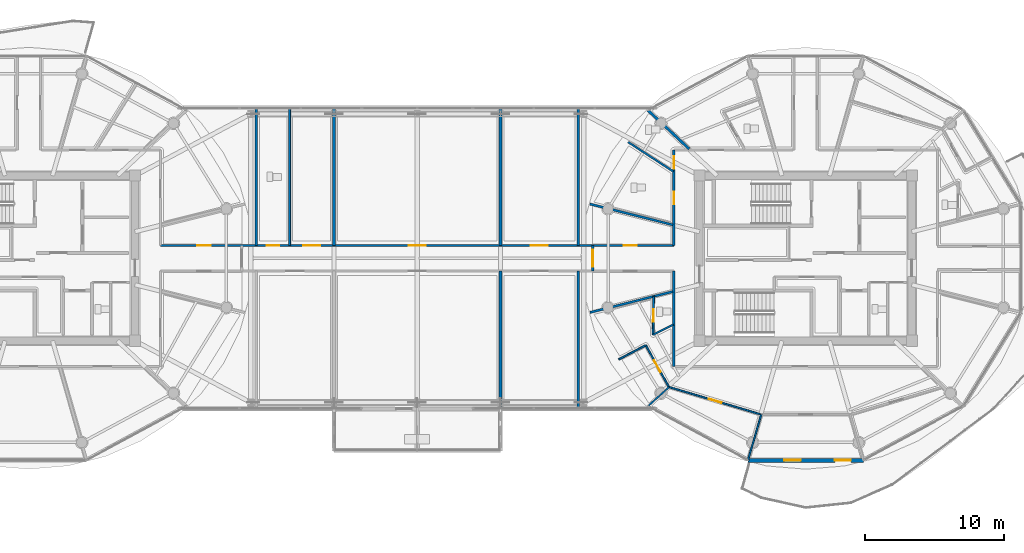
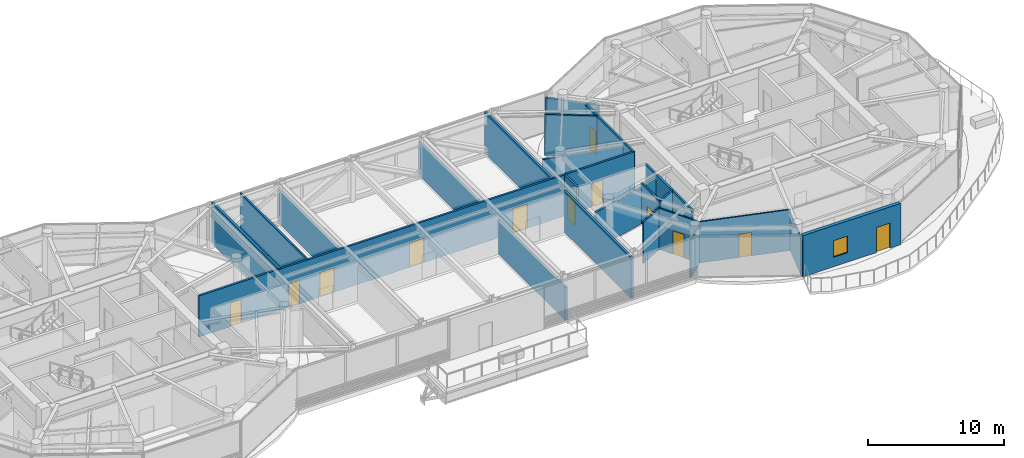
# One storey, part 17 of 31: 23 walls, 13 doors, 1 window, 14 openings.
"""IFC4 building model written with IfcOpenShell, lengths in metres."""

from ifc_helpers import new_model, si_unit, direction, frame, frame_2d, origin, place, context, subcontext, project, spatial, rectangle, extrude, source, transform, mapped, material, layer, layer_set, type_object, type_shapes, element, fill, save


model = new_model("IFC4")

# Units and contexts
model_context = context("Model", 3, precision=1e-05, world=origin(), true_north=direction((0.0, 1.0)))
body_context = subcontext(model_context, "Body", "Model", "MODEL_VIEW")
ifc_project = project(units=[si_unit("LENGTHUNIT", "METRE"), si_unit("AREAUNIT", "SQUARE_METRE"), si_unit("VOLUMEUNIT", "CUBIC_METRE"), si_unit("PLANEANGLEUNIT", "RADIAN"), si_unit("MASSUNIT", "GRAM", prefix="KILO")], contexts=[model_context])

# Site, building, storey
site_placement = place(None, origin())
site = spatial("IfcSite", under=ifc_project, at=site_placement, CompositionType="ELEMENT")
building_placement = place(site_placement, origin())
building = spatial("IfcBuilding", under=site, at=building_placement, Name="Norrkilde Senior Care Towers", CompositionType="ELEMENT")
storey_placement = place(building_placement, frame((0.0, 0.0, 199.800048828125)))
storey = spatial("IfcBuildingStorey", under=building, at=storey_placement, Name="L62", CompositionType="ELEMENT", Elevation=199.800048828125)

# Wall, openings, door, window
ifc_material_1 = material(Name="Precast concrete C45/55", Category="concrete")
ifc_layer_1 = layer(ifc_material_1, 0.2900390625)
ifc_layer_set_1 = layer_set([ifc_layer_1], Name="Precast concrete C45/55")
wall_type_1 = type_object("IfcWallType", Name="Winter Garden Facade Wall 290", PredefinedType="SOLIDWALL", material=ifc_layer_set_1)
shared_shape_1 = source(origin(), body_context, "Body", "SweptSolid", [
    extrude(rectangle(XDim=8.32373046875, YDim=0.2900390625, at=frame_2d((4.161865234375, 0.0))), origin(), (0.0, 0.0, 1.0), 3.7099609375),
])
type_shapes(wall_type_1, [shared_shape_1])
wall_1_placement = place(storey_placement, frame((32.161865234375, -14.566162109375, 0.0), z_axis=(0.0, 0.0, 1.0), x_axis=(-1.0, 0.0, 0.0)))
wall_1 = element("IfcWall", 1, at=wall_1_placement, inside=storey, type_object=wall_type_1, Name="L62 Drum E Balcony Access Wall 08", PredefinedType="SOLIDWALL", context=body_context, shape_type="MappedRepresentation", body=[
    mapped(shared_shape_1, transform((0.0, 0.0, 0.0), x_axis=(1.0, 0.0, 0.0), y_axis=(0.0, 1.0, 0.0), z_axis=(0.0, 0.0, 1.0), scale=1.0)),
])
opening_1_placement = place(wall_1_placement, frame((0.89990234375, 0.0, 0.0)))
opening_1 = element("IfcOpeningElement", 2, at=opening_1_placement, cuts=wall_1, Name="Opening D-09", PredefinedType="OPENING", context=body_context, shape_type="SweptSolid", body=[
    extrude(rectangle(XDim=1.14990234375, YDim=2.25, at=frame_2d((0.574951171875, 1.125))), frame((0.0, 0.155029296875, 0.0), z_axis=(0.0, -1.0, 0.0), x_axis=(1.0, 0.0, 0.0)), (0.0, 0.0, 1.0), 0.31005859375),
])
opening_2_placement = place(wall_1_placement, frame((4.51171875, 0.0, 0.85009765625)))
opening_2 = element("IfcOpeningElement", 3, at=opening_2_placement, cuts=wall_1, Name="Opening WN-07", PredefinedType="OPENING", context=body_context, shape_type="SweptSolid", body=[
    extrude(rectangle(XDim=1.199951171875, YDim=1.5, at=frame_2d((0.60009765625, 0.75))), frame((0.0, 0.155029296875, 0.0), z_axis=(0.0, -1.0, 0.0), x_axis=(1.0, 0.0, 0.0)), (0.0, 0.0, 1.0), 0.31005859375),
])
ifc_material_2 = material(Name="Anodised Aluminium", Category="aluminium")
door_type_1 = type_object("IfcDoorType", Name="Terrace and Balcony Glazed Door 1150x2250", OperationType="NOTDEFINED", PredefinedType="DOOR", material=ifc_material_2)
shared_shape_2 = source(origin(), body_context, "Body", "SweptSolid", [
    extrude(rectangle(XDim=1.14990234375, YDim=2.25, at=frame_2d((0.574951171875, 1.125))), frame((0.0, 0.02490234375, 0.0), z_axis=(0.0, -1.0, 0.0), x_axis=(1.0, 0.0, 0.0)), (0.0, 0.0, 1.0), 0.050048828125),
])
type_shapes(door_type_1, [shared_shape_2])
door_1_placement = place(opening_1_placement, origin())
door_1 = element("IfcDoor", 4, at=door_1_placement, inside=storey, type_object=door_type_1, Name="L62 Drum E Outdoor Terrace Door 08", OperationType="SINGLE_SWING_LEFT", OverallHeight=2.25, OverallWidth=1.14990234375, PredefinedType="DOOR", context=body_context, shape_type="MappedRepresentation", body=[
    mapped(shared_shape_2, transform((0.0, 0.0, 0.0), x_axis=(1.0, 0.0, 0.0), y_axis=(0.0, 1.0, 0.0), z_axis=(0.0, 0.0, 1.0), scale=1.0)),
])
fill(opening_1, door_1)
ifc_material_3 = material(Name="Triple Low-E Insulated Glazing", Category="glass")
window_type = type_object("IfcWindowType", Name="Stairwell Smoke Vent Window 1200x1500", PartitioningType="SINGLE_PANEL", PredefinedType="WINDOW", material=ifc_material_3)
shared_shape_3 = source(origin(), body_context, "Body", "SweptSolid", [
    extrude(rectangle(XDim=1.199951171875, YDim=1.5, at=frame_2d((0.60009765625, 0.75))), frame((0.0, 0.030029296875, 0.0), z_axis=(0.0, -1.0, 0.0), x_axis=(1.0, 0.0, 0.0)), (0.0, 0.0, 1.0), 0.06005859375),
])
type_shapes(window_type, [shared_shape_3])
window_placement = place(opening_2_placement, origin())
window = element("IfcWindow", 5, at=window_placement, inside=storey, type_object=window_type, Name="L62 Drum E Winter Garden Window 08", OverallHeight=1.5, OverallWidth=1.199951171875, PartitioningType="SINGLE_PANEL", PredefinedType="WINDOW", context=body_context, shape_type="MappedRepresentation", body=[
    mapped(shared_shape_3, transform((0.0, 0.0, 0.0), x_axis=(1.0, 0.0, 0.0), y_axis=(0.0, 1.0, 0.0), z_axis=(0.0, 0.0, 1.0), scale=1.0)),
])
fill(opening_2, window)

# Wall
ifc_material_4 = material(Name="Gypsum Acoustic Board")
ifc_layer_2 = layer(ifc_material_4, 0.1650390625)
ifc_layer_set_2 = layer_set([ifc_layer_2], Name="Gypsum Acoustic Board")
wall_type_2 = type_object("IfcWallType", Name="Corridor Rated Partition 165", PredefinedType="PARTITIONING", material=ifc_layer_set_2)
shared_shape_4 = source(origin(), body_context, "Body", "SweptSolid", [
    extrude(rectangle(XDim=6.880126953125, YDim=0.1650390625, at=frame_2d((3.43994140625, 0.0))), origin(), (0.0, 0.0, 1.0), 3.695068359375),
])
wall_2_placement = place(storey_placement, frame((18.5, -7.800048828125, 0.0), z_axis=(0.0, 0.0, 1.0), x_axis=(0.0, 1.0, 0.0)))
element("IfcWall", 6, at=wall_2_placement, inside=storey, type_object=wall_type_2, Name="WL-INT-L62-E-CRW-W-0", PredefinedType="PARTITIONING", context=body_context, shape_type="MappedRepresentation", body=[
    mapped(shared_shape_4, transform((0.0, 0.0, 0.0), x_axis=(1.0, 0.0, 0.0), y_axis=(0.0, 1.0, 0.0), z_axis=(0.0, 0.0, 1.0), scale=1.0)),
])

# Wall, openings, doors
wall_3_placement = place(storey_placement, frame((18.5, 0.919921875, 0.0), z_axis=(0.0, 0.0, 1.0), x_axis=(0.0, 1.0, 0.0)))
wall_3 = element("IfcWall", 7, at=wall_3_placement, inside=storey, type_object=wall_type_2, Name="WL-INT-L62-E-CRW-W-1", PredefinedType="PARTITIONING", context=body_context, shape_type="MappedRepresentation", body=[
    mapped(shared_shape_4, transform((0.0, 0.0, 0.0), x_axis=(1.0, 0.0, 0.0), y_axis=(0.0, 1.0, 0.0), z_axis=(0.0, 0.0, 1.0), scale=1.0)),
])
opening_3_placement = place(wall_3_placement, frame((5.525146484375, 0.0, 0.0)))
opening_3 = element("IfcOpeningElement", 8, at=opening_3_placement, cuts=wall_3, Name="Opening D-08", PredefinedType="OPENING", context=body_context, shape_type="SweptSolid", body=[
    extrude(rectangle(XDim=0.919921875, YDim=2.10009765625, at=frame_2d((0.4599609375, 1.050048828125))), frame((0.0, 0.092529296875, 0.0), z_axis=(0.0, -1.0, 0.0), x_axis=(1.0, 0.0, 0.0)), (0.0, 0.0, 1.0), 0.18505859375),
])
opening_4_placement = place(wall_3_placement, frame((2.96240234375, 0.0, 0.0)))
opening_4 = element("IfcOpeningElement", 9, at=opening_4_placement, cuts=wall_3, Name="Opening D-08", PredefinedType="OPENING", context=body_context, shape_type="SweptSolid", body=[
    extrude(rectangle(XDim=0.919921875, YDim=2.10009765625, at=frame_2d((0.4599609375, 1.050048828125))), frame((0.0, 0.092529296875, 0.0), z_axis=(0.0, -1.0, 0.0), x_axis=(1.0, 0.0, 0.0)), (0.0, 0.0, 1.0), 0.18505859375),
])
ifc_material_5 = material(Name="Nordic Ash Timber", Category="wood")
door_type_2 = type_object("IfcDoorType", Name="Accessible Wet Room Door 920x2100", OperationType="NOTDEFINED", PredefinedType="DOOR", material=ifc_material_5)
shared_shape_5 = source(origin(), body_context, "Body", "SweptSolid", [
    extrude(rectangle(XDim=0.919921875, YDim=2.10009765625, at=frame_2d((0.4599609375, 1.050048828125))), frame((0.0, 0.02490234375, 0.0), z_axis=(0.0, -1.0, 0.0), x_axis=(1.0, 0.0, 0.0)), (0.0, 0.0, 1.0), 0.050048828125),
])
type_shapes(door_type_2, [shared_shape_5])
door_2_placement = place(opening_3_placement, frame((0.919921875, 0.0, 0.0), z_axis=(0.0, 0.0, 1.0), x_axis=(-1.0, 0.0, 0.0)))
door_2 = element("IfcDoor", 10, at=door_2_placement, inside=storey, type_object=door_type_2, Name="L62 Accessible Restroom Door", OperationType="SINGLE_SWING_LEFT", OverallHeight=2.10009765625, OverallWidth=0.919921875, PredefinedType="DOOR", context=body_context, shape_type="MappedRepresentation", body=[
    mapped(shared_shape_5, transform((0.0, 0.0, 0.0), x_axis=(1.0, 0.0, 0.0), y_axis=(0.0, 1.0, 0.0), z_axis=(0.0, 0.0, 1.0), scale=1.0)),
])
fill(opening_3, door_2)
door_3_placement = place(opening_4_placement, frame((0.919921875, 0.0, 0.0), z_axis=(0.0, 0.0, 1.0), x_axis=(-1.0, 0.0, 0.0)))
door_3 = element("IfcDoor", 11, at=door_3_placement, inside=storey, type_object=door_type_2, Name="L62 Public Restroom Door", OperationType="SINGLE_SWING_RIGHT", OverallHeight=2.10009765625, OverallWidth=0.919921875, PredefinedType="DOOR", context=body_context, shape_type="MappedRepresentation", body=[
    mapped(shared_shape_5, transform((0.0, 0.0, 0.0), x_axis=(1.0, 0.0, 0.0), y_axis=(0.0, 1.0, 0.0), z_axis=(0.0, 0.0, 1.0), scale=1.0)),
])
fill(opening_4, door_3)

# Walls
shared_shape_6 = source(origin(), body_context, "Body", "SweptSolid", [
    extrude(rectangle(XDim=6.1572265625, YDim=0.1650390625, at=frame_2d((3.07861328125, 0.0))), origin(), (0.0, 0.0, 1.0), 3.294921875),
])
for number, where, z_axis, x_axis, name in (
    (12, (18.419921875, 2.407470703125, 0.0), (0.0, 0.0, 1.0), (-0.969840867184, 0.243738984038, 0.0), "WL-INT-L62-E-DEM-05-0"),
    (13, (18.419921875, -2.407470703125, 0.0), (0.0, 0.0, 1.0), (-0.969840867184, -0.243738984038, 0.0), "WL-INT-L62-E-DEM-06-0"),
):
    element("IfcWall", number, at=place(storey_placement, frame(where, z_axis=z_axis, x_axis=x_axis)), inside=storey, type_object=wall_type_2, Name=name, PredefinedType="PARTITIONING", context=body_context, shape_type="MappedRepresentation", body=[
        mapped(shared_shape_6, transform((0.0, 0.0, 0.0), x_axis=(1.0, 0.0, 0.0), y_axis=(0.0, 1.0, 0.0), z_axis=(0.0, 0.0, 1.0), scale=1.0)),
    ])
ifc_layer_3 = layer(ifc_material_4, 0.18994140625)
ifc_layer_set_3 = layer_set([ifc_layer_3], Name="Gypsum Acoustic Board")
wall_type_3 = type_object("IfcWallType", Name="Unit Demising Acoustic Wall 190", PredefinedType="PARTITIONING", material=ifc_layer_set_3)
shared_shape_7 = source(origin(), body_context, "Body", "SweptSolid", [
    extrude(rectangle(XDim=4.089111328125, YDim=0.18994140625, at=frame_2d((2.04443359375, 0.0))), origin(), (0.0, 0.0, 1.0), 3.294921875),
])
wall_4_placement = place(storey_placement, frame((19.59814453125, 7.8798828125, 0.0), z_axis=(0.0, 0.0, 1.0), x_axis=(-0.729401273609, 0.684086092577, 0.0)))
element("IfcWall", 14, at=wall_4_placement, inside=storey, type_object=wall_type_3, Name="WL-INT-L62-E-DEM-04-0", PredefinedType="PARTITIONING", context=body_context, shape_type="MappedRepresentation", body=[
    mapped(shared_shape_7, transform((0.0, 0.0, 0.0), x_axis=(1.0, 0.0, 0.0), y_axis=(0.0, 1.0, 0.0), z_axis=(0.0, 0.0, 1.0), scale=1.0)),
])
ifc_layer_4 = layer(ifc_material_4, 0.139892578125)
ifc_layer_set_4 = layer_set([ifc_layer_4], Name="Gypsum Acoustic Board")
wall_type_4 = type_object("IfcWallType", Name="En-suite Wet Room Wall 140", PredefinedType="PARTITIONING", material=ifc_layer_set_4)
shared_shape_8 = source(origin(), body_context, "Body", "SweptSolid", [
    extrude(rectangle(XDim=3.903564453125, YDim=0.139892578125, at=frame_2d((1.95166015625, 0.0))), origin(), (0.0, 0.0, 1.0), 3.695068359375),
])
wall_5_placement = place(storey_placement, frame((18.469970703125, 6.245849609375, 0.0), z_axis=(0.0, 0.0, 1.0), x_axis=(-0.838024687996, 0.545632314209, 0.0)))
element("IfcWall", 15, at=wall_5_placement, inside=storey, type_object=wall_type_4, Name="WL-INT-L62-E-MID-04", PredefinedType="PARTITIONING", context=body_context, shape_type="MappedRepresentation", body=[
    mapped(shared_shape_8, transform((0.0, 0.0, 0.0), x_axis=(1.0, 0.0, 0.0), y_axis=(0.0, 1.0, 0.0), z_axis=(0.0, 0.0, 1.0), scale=1.0)),
])
ifc_layer_5 = layer(ifc_material_4, 0.114990234375)
ifc_layer_set_5 = layer_set([ifc_layer_5], Name="Gypsum Acoustic Board")
wall_type_5 = type_object("IfcWallType", Name="Internal Room Partition 115", PredefinedType="PARTITIONING", material=ifc_layer_set_5)
shared_shape_9 = source(origin(), body_context, "Body", "SweptSolid", [
    extrude(rectangle(XDim=2.071533203125, YDim=0.114990234375, at=frame_2d((1.03564453125, 0.0))), origin(), (0.0, 0.0, 1.0), 3.294921875),
])
wall_6_placement = place(storey_placement, frame((18.1513671875, -9.287109375, 0.0), z_axis=(0.0, 0.0, 1.0), x_axis=(-0.741410125356, -0.671052178314, 0.0)))
element("IfcWall", 16, at=wall_6_placement, inside=storey, type_object=wall_type_5, Name="WL-INT-L62-E-UBR-06-1", PredefinedType="PARTITIONING", context=body_context, shape_type="MappedRepresentation", body=[
    mapped(shared_shape_9, transform((0.0, 0.0, 0.0), x_axis=(1.0, 0.0, 0.0), y_axis=(0.0, 1.0, 0.0), z_axis=(0.0, 0.0, 1.0), scale=1.0)),
])
shared_shape_10 = source(origin(), body_context, "Body", "SweptSolid", [
    extrude(rectangle(XDim=1.638427734375, YDim=0.139892578125, at=frame_2d((0.8193359375, 0.0))), origin(), (0.0, 0.0, 1.0), 3.695068359375),
])
wall_7_placement = place(storey_placement, frame((18.469970703125, -4.7783203125, 0.0), z_axis=(0.0, 0.0, 1.0), x_axis=(-0.893919977945, -0.448226586707, 0.0)))
element("IfcWall", 17, at=wall_7_placement, inside=storey, type_object=wall_type_4, Name="WL-INT-L62-E-UBTS-06", PredefinedType="PARTITIONING", context=body_context, shape_type="MappedRepresentation", body=[
    mapped(shared_shape_10, transform((0.0, 0.0, 0.0), x_axis=(1.0, 0.0, 0.0), y_axis=(0.0, 1.0, 0.0), z_axis=(0.0, 0.0, 1.0), scale=1.0)),
])

# Wall, opening, door
shared_shape_11 = source(origin(), body_context, "Body", "SweptSolid", [
    extrude(rectangle(XDim=2.7587890625, YDim=0.139892578125, at=frame_2d((1.37939453125, 0.0))), origin(), (0.0, 0.0, 1.0), 3.695068359375),
])
wall_8_placement = place(storey_placement, frame((17.00537109375, -5.5126953125, 0.0), z_axis=(0.0, 0.0, 1.0), x_axis=(0.01194710728, 0.999928630767, 0.0)))
wall_8 = element("IfcWall", 18, at=wall_8_placement, inside=storey, type_object=wall_type_4, Name="WL-INT-L62-E-UBTF-06", PredefinedType="PARTITIONING", context=body_context, shape_type="MappedRepresentation", body=[
    mapped(shared_shape_11, transform((0.0, 0.0, 0.0), x_axis=(1.0, 0.0, 0.0), y_axis=(0.0, 1.0, 0.0), z_axis=(0.0, 0.0, 1.0), scale=1.0)),
])
opening_5_placement = place(wall_8_placement, frame((0.91943359375, 0.0, 0.0)))
opening_5 = element("IfcOpeningElement", 19, at=opening_5_placement, cuts=wall_8, Name="Opening D-08", PredefinedType="OPENING", context=body_context, shape_type="SweptSolid", body=[
    extrude(rectangle(XDim=0.919921875, YDim=2.10009765625, at=frame_2d((0.4599609375, 1.050048828125))), frame((0.0, 0.079833984375, 0.0), z_axis=(0.0, -1.0, 0.0), x_axis=(1.0, 0.0, 0.0)), (0.0, 0.0, 1.0), 0.159912109375),
])
door_4_placement = place(opening_5_placement, origin())
door_4 = element("IfcDoor", 20, at=door_4_placement, inside=storey, type_object=door_type_2, Name="Apartment 62D Bathroom Door", OperationType="SINGLE_SWING_RIGHT", OverallHeight=2.10009765625, OverallWidth=0.919921875, PredefinedType="DOOR", context=body_context, shape_type="MappedRepresentation", body=[
    mapped(shared_shape_5, transform((0.0, 0.0, 0.0), x_axis=(1.0, 0.0, 0.0), y_axis=(0.0, 1.0, 0.0), z_axis=(0.0, 0.0, 1.0), scale=1.0)),
])
fill(opening_5, door_4)

# Wall
shared_shape_12 = source(origin(), body_context, "Body", "SweptSolid", [
    extrude(rectangle(XDim=2.193115234375, YDim=0.114990234375, at=frame_2d((1.0966796875, 0.0))), origin(), (0.0, 0.0, 1.0), 3.695068359375),
])
wall_9_placement = place(storey_placement, frame((16.474609375, -6.27490234375, 0.0), z_axis=(0.0, 0.0, 1.0), x_axis=(-0.885783595046, -0.464098505435, 0.0)))
element("IfcWall", 21, at=wall_9_placement, inside=storey, type_object=wall_type_5, Name="WL-INT-L62-E-UKTS-06", PredefinedType="PARTITIONING", context=body_context, shape_type="MappedRepresentation", body=[
    mapped(shared_shape_12, transform((0.0, 0.0, 0.0), x_axis=(1.0, 0.0, 0.0), y_axis=(0.0, 1.0, 0.0), z_axis=(0.0, 0.0, 1.0), scale=1.0)),
])

# Wall, opening, door
shared_shape_13 = source(origin(), body_context, "Body", "SweptSolid", [
    extrude(rectangle(XDim=3.4501953125, YDim=0.114990234375, at=frame_2d((1.72509765625, 0.0))), origin(), (0.0, 0.0, 1.0), 3.695068359375),
])
wall_10_placement = place(storey_placement, frame((16.474609375, -6.27490234375, 0.0), z_axis=(0.0, 0.0, 1.0), x_axis=(0.483659007882, -0.875256513312, 0.0)))
wall_10 = element("IfcWall", 22, at=wall_10_placement, inside=storey, type_object=wall_type_5, Name="WL-INT-L62-E-UKTF-06", PredefinedType="PARTITIONING", context=body_context, shape_type="MappedRepresentation", body=[
    mapped(shared_shape_13, transform((0.0, 0.0, 0.0), x_axis=(1.0, 0.0, 0.0), y_axis=(0.0, 1.0, 0.0), z_axis=(0.0, 0.0, 1.0), scale=1.0)),
])
opening_6_placement = place(wall_10_placement, frame((1.25, 0.0, 0.0)))
opening_6 = element("IfcOpeningElement", 23, at=opening_6_placement, cuts=wall_10, Name="Opening D-07", PredefinedType="OPENING", context=body_context, shape_type="SweptSolid", body=[
    extrude(rectangle(XDim=0.949951171875, YDim=2.10009765625, at=frame_2d((0.47509765625, 1.050048828125))), frame((0.0, 0.0673828125, 0.0), z_axis=(0.0, -1.0, 0.0), x_axis=(1.0, 0.0, 0.0)), (0.0, 0.0, 1.0), 0.135009765625),
])
door_type_3 = type_object("IfcDoorType", Name="Internal Suite Bedroom Door 950x2100", OperationType="NOTDEFINED", PredefinedType="DOOR", material=ifc_material_5)
shared_shape_14 = source(origin(), body_context, "Body", "SweptSolid", [
    extrude(rectangle(XDim=0.949951171875, YDim=2.10009765625, at=frame_2d((0.47509765625, 1.050048828125))), frame((0.0, 0.02490234375, 0.0), z_axis=(0.0, -1.0, 0.0), x_axis=(1.0, 0.0, 0.0)), (0.0, 0.0, 1.0), 0.050048828125),
])
type_shapes(door_type_3, [shared_shape_14])
door_5_placement = place(opening_6_placement, frame((0.949951171875, 0.0, 0.0), z_axis=(0.0, 0.0, 1.0), x_axis=(-1.0, 0.0, 0.0)))
door_5 = element("IfcDoor", 24, at=door_5_placement, inside=storey, type_object=door_type_3, Name="Apartment 62D Kitchen Door", OperationType="SINGLE_SWING_LEFT", OverallHeight=2.10009765625, OverallWidth=0.949951171875, PredefinedType="DOOR", context=body_context, shape_type="MappedRepresentation", body=[
    mapped(shared_shape_14, transform((0.0, 0.0, 0.0), x_axis=(1.0, 0.0, 0.0), y_axis=(0.0, 1.0, 0.0), z_axis=(0.0, 0.0, 1.0), scale=1.0)),
])
fill(opening_6, door_5)

shared_shape_15 = source(origin(), body_context, "Body", "SweptSolid", [
    extrude(rectangle(XDim=6.935791015625, YDim=0.114990234375, at=frame_2d((3.4677734375, 0.0))), origin(), (0.0, 0.0, 1.0), 3.695068359375),
])
wall_11_placement = place(storey_placement, frame((18.1513671875, -9.287109375, 0.0), z_axis=(0.0, 0.0, 1.0), x_axis=(0.958186895835, -0.286143098205, 0.0)))
wall_11 = element("IfcWall", 25, at=wall_11_placement, inside=storey, type_object=wall_type_5, Name="WL-INT-L62-E-UBC-06-1", PredefinedType="PARTITIONING", context=body_context, shape_type="MappedRepresentation", body=[
    mapped(shared_shape_15, transform((0.0, 0.0, 0.0), x_axis=(1.0, 0.0, 0.0), y_axis=(0.0, 1.0, 0.0), z_axis=(0.0, 0.0, 1.0), scale=1.0)),
])
opening_7_placement = place(wall_11_placement, frame((2.992919921875, 0.0, 0.0)))
opening_7 = element("IfcOpeningElement", 26, at=opening_7_placement, cuts=wall_11, Name="Opening D-07", PredefinedType="OPENING", context=body_context, shape_type="SweptSolid", body=[
    extrude(rectangle(XDim=0.949951171875, YDim=2.10009765625, at=frame_2d((0.47509765625, 1.050048828125))), frame((0.0, 0.0673828125, 0.0), z_axis=(0.0, -1.0, 0.0), x_axis=(1.0, 0.0, 0.0)), (0.0, 0.0, 1.0), 0.135009765625),
])
door_6_placement = place(opening_7_placement, origin())
door_6 = element("IfcDoor", 27, at=door_6_placement, inside=storey, type_object=door_type_3, Name="Apartment 62D Bedroom 1 Door", OperationType="SINGLE_SWING_RIGHT", OverallHeight=2.10009765625, OverallWidth=0.949951171875, PredefinedType="DOOR", context=body_context, shape_type="MappedRepresentation", body=[
    mapped(shared_shape_14, transform((0.0, 0.0, 0.0), x_axis=(1.0, 0.0, 0.0), y_axis=(0.0, 1.0, 0.0), z_axis=(0.0, 0.0, 1.0), scale=1.0)),
])
fill(opening_7, door_6)

# Wall
shared_shape_16 = source(origin(), body_context, "Body", "SweptSolid", [
    extrude(rectangle(XDim=3.453857421875, YDim=0.114990234375, at=frame_2d((1.72705078125, 0.0))), origin(), (0.0, 0.0, 1.0), 3.294921875),
])
type_shapes(wall_type_5, [shared_shape_9, shared_shape_12, shared_shape_13, shared_shape_15, shared_shape_16])
wall_12_placement = place(storey_placement, frame((24.7978515625, -11.26904296875, 0.0), z_axis=(0.0, 0.0, 1.0), x_axis=(-0.279348499358, -0.960189781193, 0.0)))
element("IfcWall", 28, at=wall_12_placement, inside=storey, type_object=wall_type_5, Name="WL-INT-L62-E-UBR-06-2", PredefinedType="PARTITIONING", context=body_context, shape_type="MappedRepresentation", body=[
    mapped(shared_shape_16, transform((0.0, 0.0, 0.0), x_axis=(1.0, 0.0, 0.0), y_axis=(0.0, 1.0, 0.0), z_axis=(0.0, 0.0, 1.0), scale=1.0)),
])

# Wall, opening, door
shared_shape_17 = source(origin(), body_context, "Body", "SweptSolid", [
    extrude(rectangle(XDim=1.83984375, YDim=0.1650390625, at=frame_2d((0.919921875, 0.0))), origin(), (0.0, 0.0, 1.0), 3.695068359375),
])
wall_13_placement = place(storey_placement, frame((12.64990234375, -0.919921875, 0.0), z_axis=(0.0, 0.0, 1.0), x_axis=(0.0, 1.0, 0.0)))
wall_13 = element("IfcWall", 29, at=wall_13_placement, inside=storey, type_object=wall_type_2, Name="WL-INT-L62-BR-GE", PredefinedType="PARTITIONING", context=body_context, shape_type="MappedRepresentation", body=[
    mapped(shared_shape_17, transform((0.0, 0.0, 0.0), x_axis=(1.0, 0.0, 0.0), y_axis=(0.0, 1.0, 0.0), z_axis=(0.0, 0.0, 1.0), scale=1.0)),
])
opening_8_placement = place(wall_13_placement, frame((0.320068359375, 0.0, 0.0)))
opening_8 = element("IfcOpeningElement", 30, at=opening_8_placement, cuts=wall_13, Name="Opening D-04", PredefinedType="OPENING", context=body_context, shape_type="SweptSolid", body=[
    extrude(rectangle(XDim=1.199951171875, YDim=2.14990234375, at=frame_2d((0.60009765625, 1.074951171875))), frame((0.0, 0.092529296875, 0.0), z_axis=(0.0, -1.0, 0.0), x_axis=(1.0, 0.0, 0.0)), (0.0, 0.0, 1.0), 0.18505859375),
])
ifc_material_6 = material(Name="Galvanised Painted Steel", Category="steel")
door_type_4 = type_object("IfcDoorType", Name="Firefighting Lobby Fire Door 1200x2150", OperationType="NOTDEFINED", PredefinedType="DOOR", material=ifc_material_6)
shared_shape_18 = source(origin(), body_context, "Body", "SweptSolid", [
    extrude(rectangle(XDim=1.199951171875, YDim=2.14990234375, at=frame_2d((0.60009765625, 1.074951171875))), frame((0.0, 0.02490234375, 0.0), z_axis=(0.0, -1.0, 0.0), x_axis=(1.0, 0.0, 0.0)), (0.0, 0.0, 1.0), 0.050048828125),
])
type_shapes(door_type_4, [shared_shape_18])
door_7_placement = place(opening_8_placement, origin())
door_7 = element("IfcDoor", 31, at=door_7_placement, inside=storey, type_object=door_type_4, Name="L62 Sky-Gate Bridge GE Fire Door", OperationType="SINGLE_SWING_RIGHT", OverallHeight=2.14990234375, OverallWidth=1.199951171875, PredefinedType="DOOR", context=body_context, shape_type="MappedRepresentation", body=[
    mapped(shared_shape_18, transform((0.0, 0.0, 0.0), x_axis=(1.0, 0.0, 0.0), y_axis=(0.0, 1.0, 0.0), z_axis=(0.0, 0.0, 1.0), scale=1.0)),
])
fill(opening_8, door_7)

# Wall, openings, doors
shared_shape_19 = source(origin(), body_context, "Body", "SweptSolid", [
    extrude(rectangle(XDim=37.0, YDim=0.1650390625, at=frame_2d((18.5, 0.0))), origin(), (0.0, 0.0, 1.0), 3.695068359375),
])
type_shapes(wall_type_2, [shared_shape_4, shared_shape_6, shared_shape_17, shared_shape_19])
wall_14_placement = place(storey_placement, frame((-18.5, 0.919921875, 0.0), z_axis=(0.0, 0.0, 1.0), x_axis=(1.0, 0.0, 0.0)))
wall_14 = element("IfcWall", 32, at=wall_14_placement, inside=storey, type_object=wall_type_2, Name="WL-INT-L62-BR-CN", PredefinedType="PARTITIONING", context=body_context, shape_type="MappedRepresentation", body=[
    mapped(shared_shape_19, transform((0.0, 0.0, 0.0), x_axis=(1.0, 0.0, 0.0), y_axis=(0.0, 1.0, 0.0), z_axis=(0.0, 0.0, 1.0), scale=1.0)),
])
opening_9_placement = place(wall_14_placement, frame((2.66162109375, 0.0, 0.0)))
opening_9 = element("IfcOpeningElement", 33, at=opening_9_placement, cuts=wall_14, Name="Opening D-07", PredefinedType="OPENING", context=body_context, shape_type="SweptSolid", body=[
    extrude(rectangle(XDim=0.949951171875, YDim=2.10009765625, at=frame_2d((0.47509765625, 1.050048828125))), frame((0.0, 0.092529296875, 0.0), z_axis=(0.0, -1.0, 0.0), x_axis=(1.0, 0.0, 0.0)), (0.0, 0.0, 1.0), 0.18505859375),
])
opening_10_placement = place(wall_14_placement, frame((33.38818359375, 0.0, 0.0)))
opening_10 = element("IfcOpeningElement", 34, at=opening_10_placement, cuts=wall_14, Name="Opening D-07", PredefinedType="OPENING", context=body_context, shape_type="SweptSolid", body=[
    extrude(rectangle(XDim=0.949951171875, YDim=2.10009765625, at=frame_2d((0.47509765625, 1.050048828125))), frame((0.0, 0.092529296875, 0.0), z_axis=(0.0, -1.0, 0.0), x_axis=(1.0, 0.0, 0.0)), (0.0, 0.0, 1.0), 0.18505859375),
])
opening_11_placement = place(wall_14_placement, frame((7.639892578125, 0.0, 0.0)))
opening_11 = element("IfcOpeningElement", 35, at=opening_11_placement, cuts=wall_14, Name="Opening D-08", PredefinedType="OPENING", context=body_context, shape_type="SweptSolid", body=[
    extrude(rectangle(XDim=0.919921875, YDim=2.10009765625, at=frame_2d((0.4599609375, 1.050048828125))), frame((0.0, 0.092529296875, 0.0), z_axis=(0.0, -1.0, 0.0), x_axis=(1.0, 0.0, 0.0)), (0.0, 0.0, 1.0), 0.18505859375),
])
opening_12_placement = place(wall_14_placement, frame((10.27490234375, 0.0, 0.0)))
opening_12 = element("IfcOpeningElement", 36, at=opening_12_placement, cuts=wall_14, Name="Opening D-05", PredefinedType="OPENING", context=body_context, shape_type="SweptSolid", body=[
    extrude(rectangle(XDim=1.25, YDim=2.199951171875, at=frame_2d((0.625, 1.10009765625))), frame((0.0, 0.092529296875, 0.0), z_axis=(0.0, -1.0, 0.0), x_axis=(1.0, 0.0, 0.0)), (0.0, 0.0, 1.0), 0.18505859375),
])
opening_13_placement = place(wall_14_placement, frame((17.875, 0.0, 0.0)))
opening_13 = element("IfcOpeningElement", 37, at=opening_13_placement, cuts=wall_14, Name="Opening D-05", PredefinedType="OPENING", context=body_context, shape_type="SweptSolid", body=[
    extrude(rectangle(XDim=1.25, YDim=2.199951171875, at=frame_2d((0.625, 1.10009765625))), frame((0.0, 0.092529296875, 0.0), z_axis=(0.0, -1.0, 0.0), x_axis=(1.0, 0.0, 0.0)), (0.0, 0.0, 1.0), 0.18505859375),
])
opening_14_placement = place(wall_14_placement, frame((26.675048828125, 0.0, 0.0)))
opening_14 = element("IfcOpeningElement", 38, at=opening_14_placement, cuts=wall_14, Name="Opening D-05", PredefinedType="OPENING", context=body_context, shape_type="SweptSolid", body=[
    extrude(rectangle(XDim=1.25, YDim=2.199951171875, at=frame_2d((0.625, 1.10009765625))), frame((0.0, 0.092529296875, 0.0), z_axis=(0.0, -1.0, 0.0), x_axis=(1.0, 0.0, 0.0)), (0.0, 0.0, 1.0), 0.18505859375),
])
door_type_5 = type_object("IfcDoorType", Name="Care Bedroom Bariatric Door 1250x2200", OperationType="NOTDEFINED", PredefinedType="DOOR", material=ifc_material_5)
shared_shape_20 = source(origin(), body_context, "Body", "SweptSolid", [
    extrude(rectangle(XDim=1.25, YDim=2.199951171875, at=frame_2d((0.625, 1.10009765625))), frame((0.0, 0.02490234375, 0.0), z_axis=(0.0, -1.0, 0.0), x_axis=(1.0, 0.0, 0.0)), (0.0, 0.0, 1.0), 0.050048828125),
])
type_shapes(door_type_5, [shared_shape_20])
door_8_placement = place(opening_12_placement, frame((1.25, 0.0, 0.0), z_axis=(0.0, 0.0, 1.0), x_axis=(-1.0, 0.0, 0.0)))
door_8 = element("IfcDoor", 39, at=door_8_placement, inside=storey, type_object=door_type_5, Name="L62 Bridge North Clinic 1 Door", OperationType="SINGLE_SWING_RIGHT", OverallHeight=2.199951171875, OverallWidth=1.25, PredefinedType="DOOR", context=body_context, shape_type="MappedRepresentation", body=[
    mapped(shared_shape_20, transform((0.0, 0.0, 0.0), x_axis=(1.0, 0.0, 0.0), y_axis=(0.0, 1.0, 0.0), z_axis=(0.0, 0.0, 1.0), scale=1.0)),
])
fill(opening_12, door_8)
door_9_placement = place(opening_13_placement, frame((1.25, 0.0, 0.0), z_axis=(0.0, 0.0, 1.0), x_axis=(-1.0, 0.0, 0.0)))
door_9 = element("IfcDoor", 40, at=door_9_placement, inside=storey, type_object=door_type_5, Name="L62 Bridge North Room 2 Door", OperationType="SINGLE_SWING_LEFT", OverallHeight=2.199951171875, OverallWidth=1.25, PredefinedType="DOOR", context=body_context, shape_type="MappedRepresentation", body=[
    mapped(shared_shape_20, transform((0.0, 0.0, 0.0), x_axis=(1.0, 0.0, 0.0), y_axis=(0.0, 1.0, 0.0), z_axis=(0.0, 0.0, 1.0), scale=1.0)),
])
fill(opening_13, door_9)
door_10_placement = place(opening_14_placement, frame((1.25, 0.0, 0.0), z_axis=(0.0, 0.0, 1.0), x_axis=(-1.0, 0.0, 0.0)))
door_10 = element("IfcDoor", 41, at=door_10_placement, inside=storey, type_object=door_type_5, Name="L62 Bridge North Room 3 Door", OperationType="SINGLE_SWING_RIGHT", OverallHeight=2.199951171875, OverallWidth=1.25, PredefinedType="DOOR", context=body_context, shape_type="MappedRepresentation", body=[
    mapped(shared_shape_20, transform((0.0, 0.0, 0.0), x_axis=(1.0, 0.0, 0.0), y_axis=(0.0, 1.0, 0.0), z_axis=(0.0, 0.0, 1.0), scale=1.0)),
])
fill(opening_14, door_10)
door_11_placement = place(opening_11_placement, frame((0.919921875, 0.0, 0.0), z_axis=(0.0, 0.0, 1.0), x_axis=(-1.0, 0.0, 0.0)))
door_11 = element("IfcDoor", 42, at=door_11_placement, inside=storey, type_object=door_type_2, Name="L62 Bridge Accessible WC Door", OperationType="SINGLE_SWING_LEFT", OverallHeight=2.10009765625, OverallWidth=0.919921875, PredefinedType="DOOR", context=body_context, shape_type="MappedRepresentation", body=[
    mapped(shared_shape_5, transform((0.0, 0.0, 0.0), x_axis=(1.0, 0.0, 0.0), y_axis=(0.0, 1.0, 0.0), z_axis=(0.0, 0.0, 1.0), scale=1.0)),
])
fill(opening_11, door_11)
door_12_placement = place(opening_9_placement, frame((0.949951171875, 0.0, 0.0), z_axis=(0.0, 0.0, 1.0), x_axis=(-1.0, 0.0, 0.0)))
door_12 = element("IfcDoor", 43, at=door_12_placement, inside=storey, type_object=door_type_3, Name="L62 Sun Reading Lounge 6 Door", OperationType="SINGLE_SWING_LEFT", OverallHeight=2.10009765625, OverallWidth=0.949951171875, PredefinedType="DOOR", context=body_context, shape_type="MappedRepresentation", body=[
    mapped(shared_shape_14, transform((0.0, 0.0, 0.0), x_axis=(1.0, 0.0, 0.0), y_axis=(0.0, 1.0, 0.0), z_axis=(0.0, 0.0, 1.0), scale=1.0)),
])
fill(opening_9, door_12)
door_13_placement = place(opening_10_placement, frame((0.949951171875, 0.0, 0.0), z_axis=(0.0, 0.0, 1.0), x_axis=(-1.0, 0.0, 0.0)))
door_13 = element("IfcDoor", 44, at=door_13_placement, inside=storey, type_object=door_type_3, Name="L62 Sun Reading Lounge 2 Door", OperationType="SINGLE_SWING_LEFT", OverallHeight=2.10009765625, OverallWidth=0.949951171875, PredefinedType="DOOR", context=body_context, shape_type="MappedRepresentation", body=[
    mapped(shared_shape_14, transform((0.0, 0.0, 0.0), x_axis=(1.0, 0.0, 0.0), y_axis=(0.0, 1.0, 0.0), z_axis=(0.0, 0.0, 1.0), scale=1.0)),
])
fill(opening_10, door_13)

# Walls
shared_shape_21 = source(origin(), body_context, "Body", "SweptSolid", [
    extrude(rectangle(XDim=9.880126953125, YDim=0.18994140625, at=frame_2d((4.93994140625, 0.0))), origin(), (0.0, 0.0, 1.0), 3.695068359375),
])
for number, where, z_axis, x_axis, name in (
    (45, (-11.60009765625, 0.919921875, 0.0), (0.0, 0.0, 1.0), (0.0, 1.0, 0.0), "WL-INT-L62-BR-EN-12"),
    (46, (11.60009765625, -10.800048828125, 0.0), (0.0, 0.0, 1.0), (0.0, 1.0, 0.0), "WL-INT-L62-BR-ES+12"),
    (47, (11.60009765625, 0.919921875, 0.0), (0.0, 0.0, 1.0), (0.0, 1.0, 0.0), "WL-INT-L62-BR-EN+12"),
):
    element("IfcWall", number, at=place(storey_placement, frame(where, z_axis=z_axis, x_axis=x_axis)), inside=storey, type_object=wall_type_3, Name=name, PredefinedType="PARTITIONING", context=body_context, shape_type="MappedRepresentation", body=[
        mapped(shared_shape_21, transform((0.0, 0.0, 0.0), x_axis=(1.0, 0.0, 0.0), y_axis=(0.0, 1.0, 0.0), z_axis=(0.0, 0.0, 1.0), scale=1.0)),
    ])
shared_shape_22 = source(origin(), body_context, "Body", "SweptSolid", [
    extrude(rectangle(XDim=9.880126953125, YDim=0.18994140625, at=frame_2d((4.93994140625, 0.0))), origin(), (0.0, 0.0, 1.0), 2.994873046875),
])
type_shapes(wall_type_3, [shared_shape_7, shared_shape_21, shared_shape_22])
for number, where, z_axis, x_axis, name in (
    (48, (-6.0, 0.919921875, 0.0), (0.0, 0.0, 1.0), (0.0, 1.0, 0.0), "WL-INT-L62-BR-VN1"),
    (49, (6.0, -10.800048828125, 0.0), (0.0, 0.0, 1.0), (0.0, 1.0, 0.0), "WL-INT-L62-BR-VS2"),
    (50, (6.0, 0.919921875, 0.0), (0.0, 0.0, 1.0), (0.0, 1.0, 0.0), "WL-INT-L62-BR-VN2"),
):
    element("IfcWall", number, at=place(storey_placement, frame(where, z_axis=z_axis, x_axis=x_axis)), inside=storey, type_object=wall_type_3, Name=name, PredefinedType="PARTITIONING", context=body_context, shape_type="MappedRepresentation", body=[
        mapped(shared_shape_22, transform((0.0, 0.0, 0.0), x_axis=(1.0, 0.0, 0.0), y_axis=(0.0, 1.0, 0.0), z_axis=(0.0, 0.0, 1.0), scale=1.0)),
    ])
shared_shape_23 = source(origin(), body_context, "Body", "SweptSolid", [
    extrude(rectangle(XDim=9.880126953125, YDim=0.139892578125, at=frame_2d((4.93994140625, 0.0))), origin(), (0.0, 0.0, 1.0), 3.695068359375),
])
type_shapes(wall_type_4, [shared_shape_8, shared_shape_10, shared_shape_11, shared_shape_23])
wall_15_placement = place(storey_placement, frame((-9.199951171875, 0.919921875, 0.0), z_axis=(0.0, 0.0, 1.0), x_axis=(0.0, 1.0, 0.0)))
element("IfcWall", 51, at=wall_15_placement, inside=storey, type_object=wall_type_4, Name="WL-INT-L62-BR-NWCV", PredefinedType="PARTITIONING", context=body_context, shape_type="MappedRepresentation", body=[
    mapped(shared_shape_23, transform((0.0, 0.0, 0.0), x_axis=(1.0, 0.0, 0.0), y_axis=(0.0, 1.0, 0.0), z_axis=(0.0, 0.0, 1.0), scale=1.0)),
])

save(model, "model.ifc")
